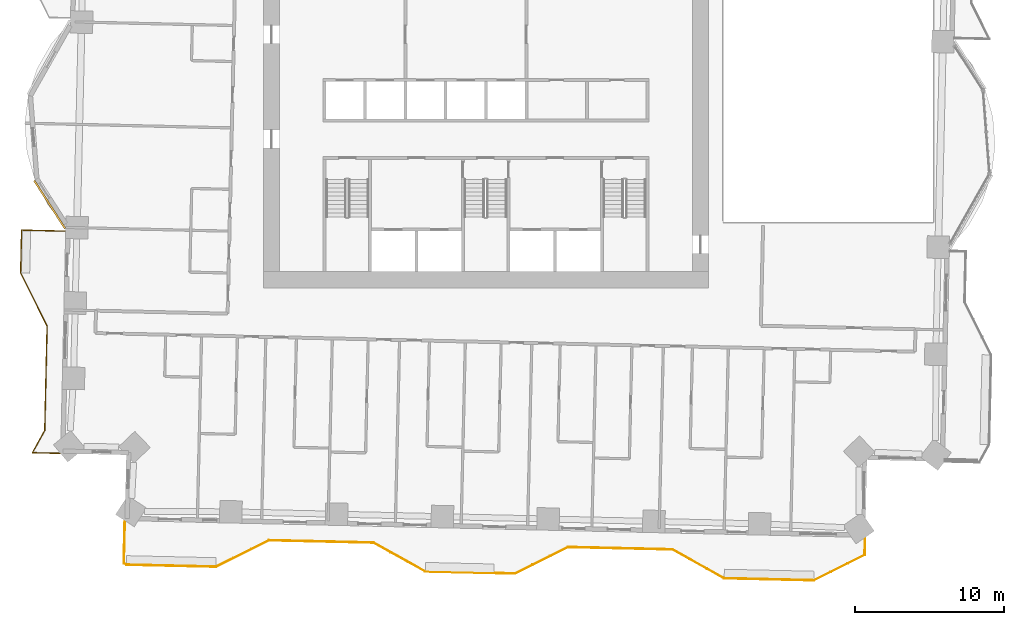
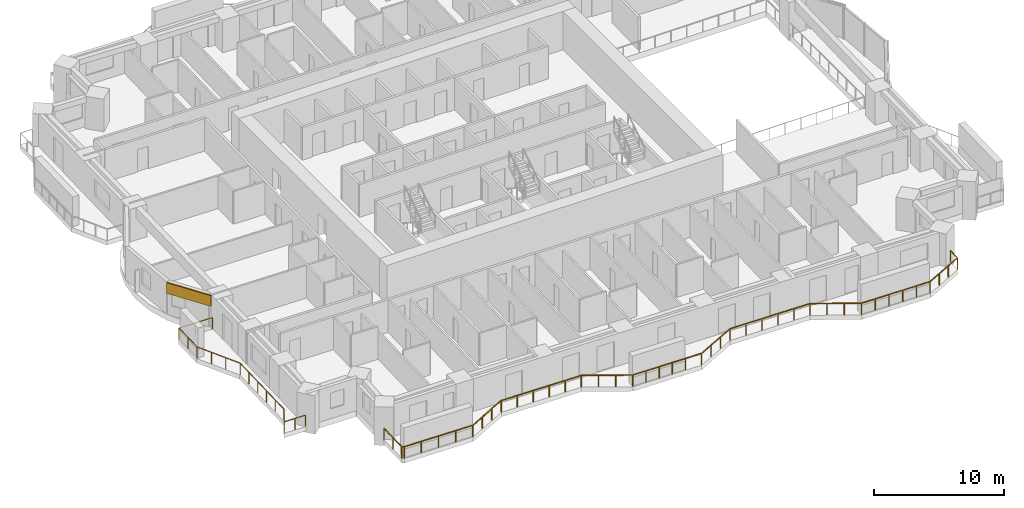
# One storey, part 16 of 20: 2 railings, 1 covering.
"""IFC4 building model written with IfcOpenShell, lengths in metres."""

from ifc_helpers import new_model, si_unit, direction, frame, frame_2d, origin, origin_2d, place, context, subcontext, project, spatial, rectangle, extrude, material, layer, layer_set, type_object, element, save


model = new_model("IFC4")

# Units and contexts
model_context = context("Model", 3, precision=1e-05, world=origin(), true_north=direction((0.0, 1.0)))
body_context = subcontext(model_context, "Body", "Model", "MODEL_VIEW")
ifc_project = project(units=[si_unit("LENGTHUNIT", "METRE"), si_unit("AREAUNIT", "SQUARE_METRE"), si_unit("VOLUMEUNIT", "CUBIC_METRE"), si_unit("PLANEANGLEUNIT", "RADIAN"), si_unit("MASSUNIT", "GRAM", prefix="KILO")], contexts=[model_context])

# Site, building, storey
site_placement = place(None, origin())
site = spatial("IfcSite", under=ifc_project, at=site_placement, CompositionType="ELEMENT")
building_placement = place(site_placement, origin())
building = spatial("IfcBuilding", under=site, at=building_placement, Name="Mangrove Gate Tower", CompositionType="ELEMENT")
storey_placement = place(building_placement, frame((0.0, 0.0, 60.300048828125)))
storey = spatial("IfcBuildingStorey", under=building, at=storey_placement, Name="L14", CompositionType="ELEMENT", Elevation=60.300048828125)

# Railings
ifc_material_1 = material(Name="Stainless steel grade 316 with laminated glass infill", Category="steel")
railing_type = type_object("IfcRailingType", Name="Balcony guard 1100", PredefinedType="GUARDRAIL", material=ifc_material_1)
railing_1_placement = place(storey_placement, frame((-28.162109375, -8.10205078125, 0.0)))
element("IfcRailing", 1, at=railing_1_placement, inside=storey, type_object=railing_type, Name="GUARD L14 W2", PredefinedType="GUARDRAIL", context=body_context, shape_type="SweptSolid", body=[
    extrude(rectangle(XDim=0.048095703125, YDim=0.048095703125, at=origin_2d()), frame((0.0, 0.0, 1.076171875), z_axis=(-0.99974144554, 0.022738559105, 0.0), x_axis=(-0.022738559105, -0.99974144554, 0.0)), (0.0, 0.0, 1.0), 2.90966796875),
    extrude(rectangle(XDim=0.048095703125, YDim=0.048095703125, at=origin_2d()), frame((-2.908935546875, 0.066162109375, 1.076171875), z_axis=(-0.022590224177, -0.999744808324, 0.0), x_axis=(0.999744808324, -0.022590224177, 0.0)), (0.0, 0.0, 1.0), 2.874755859375),
    extrude(rectangle(XDim=0.048095703125, YDim=0.048095703125, at=origin_2d()), frame((-2.973876953125, -2.807861328125, 1.076171875), z_axis=(0.447114919141, -0.894476522376, 0.0), x_axis=(0.894476522376, 0.447114919141, 0.0)), (0.0, 0.0, 1.0), 3.958740234375),
    extrude(rectangle(XDim=0.048095703125, YDim=0.048095703125, at=origin_2d()), frame((-1.203857421875, -6.348876953125, 1.076171875), z_axis=(-0.022705559911, -0.999742195543, 0.0), x_axis=(0.999742195543, -0.022705559911, 0.0)), (0.0, 0.0, 1.0), 6.999755859375),
    extrude(rectangle(XDim=0.048095703125, YDim=0.048095703125, at=origin_2d()), frame((-1.36279296875, -13.346923828125, 1.076171875), z_axis=(-0.487376362463, -0.873192007128, 0.0), x_axis=(0.873192007128, -0.487376362463, 0.0)), (0.0, 0.0, 1.0), 1.697265625),
    extrude(rectangle(XDim=0.048095703125, YDim=0.048095703125, at=origin_2d()), frame((-2.18994140625, -14.828857421875, 1.076171875), z_axis=(0.999743058761, -0.022667519919, 0.0), x_axis=(0.022667519919, 0.999743058761, 0.0)), (0.0, 0.0, 1.0), 1.8525390625),
    extrude(rectangle(XDim=0.0419921875, YDim=0.0419921875, at=origin_2d()), origin(), (0.0, 0.0, 1.0), 1.052001953125),
    extrude(rectangle(XDim=0.0419921875, YDim=0.0419921875, at=origin_2d()), frame((-1.45458984375, 0.033203125, 0.0)), (0.0, 0.0, 1.0), 1.052001953125),
    extrude(rectangle(XDim=0.0419921875, YDim=0.0419921875, at=origin_2d()), frame((-2.908935546875, 0.066162109375, 0.0)), (0.0, 0.0, 1.0), 1.052001953125),
    extrude(rectangle(XDim=0.0419921875, YDim=0.0419921875, at=origin_2d()), frame((-2.94140625, -1.370849609375, 0.0)), (0.0, 0.0, 1.0), 1.052001953125),
    extrude(rectangle(XDim=0.0419921875, YDim=0.0419921875, at=origin_2d()), frame((-2.973876953125, -2.807861328125, 0.0)), (0.0, 0.0, 1.0), 1.052001953125),
    extrude(rectangle(XDim=0.0419921875, YDim=0.0419921875, at=origin_2d()), frame((-2.3837890625, -3.98828125, 0.0)), (0.0, 0.0, 1.0), 1.052001953125),
    extrude(rectangle(XDim=0.0419921875, YDim=0.0419921875, at=origin_2d()), frame((-1.7939453125, -5.16845703125, 0.0)), (0.0, 0.0, 1.0), 1.052001953125),
    extrude(rectangle(XDim=0.0419921875, YDim=0.0419921875, at=origin_2d()), frame((-1.203857421875, -6.348876953125, 0.0)), (0.0, 0.0, 1.0), 1.052001953125),
    extrude(rectangle(XDim=0.0419921875, YDim=0.0419921875, at=origin_2d()), frame((-1.235595703125, -7.74853515625, 0.0)), (0.0, 0.0, 1.0), 1.052001953125),
    extrude(rectangle(XDim=0.0419921875, YDim=0.0419921875, at=origin_2d()), frame((-1.267333984375, -9.148193359375, 0.0)), (0.0, 0.0, 1.0), 1.052001953125),
    extrude(rectangle(XDim=0.0419921875, YDim=0.0419921875, at=origin_2d()), frame((-1.29931640625, -10.547607421875, 0.0)), (0.0, 0.0, 1.0), 1.052001953125),
    extrude(rectangle(XDim=0.0419921875, YDim=0.0419921875, at=origin_2d()), frame((-1.3310546875, -11.947265625, 0.0)), (0.0, 0.0, 1.0), 1.052001953125),
    extrude(rectangle(XDim=0.0419921875, YDim=0.0419921875, at=origin_2d()), frame((-1.36279296875, -13.346923828125, 0.0)), (0.0, 0.0, 1.0), 1.052001953125),
    extrude(rectangle(XDim=0.0419921875, YDim=0.0419921875, at=origin_2d()), frame((-1.7763671875, -14.087890625, 0.0)), (0.0, 0.0, 1.0), 1.052001953125),
    extrude(rectangle(XDim=0.0419921875, YDim=0.0419921875, at=origin_2d()), frame((-2.18994140625, -14.828857421875, 0.0)), (0.0, 0.0, 1.0), 1.052001953125),
    extrude(rectangle(XDim=0.0419921875, YDim=0.0419921875, at=origin_2d()), frame((-1.263916015625, -14.849853515625, 0.0)), (0.0, 0.0, 1.0), 1.052001953125),
    extrude(rectangle(XDim=0.0419921875, YDim=0.0419921875, at=origin_2d()), frame((-0.337890625, -14.870849609375, 0.0)), (0.0, 0.0, 1.0), 1.052001953125),
])
railing_2_placement = place(storey_placement, frame((-24.160888671875, -27.511962890625, 0.0)))
element("IfcRailing", 2, at=railing_2_placement, inside=storey, type_object=railing_type, Name="GUARD L14 S1", PredefinedType="GUARDRAIL", context=body_context, shape_type="SweptSolid", body=[
    extrude(rectangle(XDim=0.048095703125, YDim=0.048095703125, at=origin_2d()), frame((0.0, 0.0, 1.076171875), z_axis=(-0.022754816347, -0.999741075646, 0.0), x_axis=(0.999741075646, -0.022754816347, 0.0)), (0.0, 0.0, 1.0), 2.82177734375),
    extrude(rectangle(XDim=0.048095703125, YDim=0.048095703125, at=origin_2d()), frame((-0.064208984375, -2.821044921875, 1.076171875), z_axis=(0.874581613884, -0.484878335933, 0.0), x_axis=(0.484878335933, 0.874581613884, 0.0)), (0.0, 0.0, 1.0), 0.18994140625),
    extrude(rectangle(XDim=0.048095703125, YDim=0.048095703125, at=origin_2d()), frame((0.101806640625, -2.9130859375, 1.076171875), z_axis=(0.999743094499, -0.022665943652, 0.0), x_axis=(0.022665943652, 0.999743094499, 0.0)), (0.0, 0.0, 1.0), 5.99951171875),
    extrude(rectangle(XDim=0.048095703125, YDim=0.048095703125, at=origin_2d()), frame((6.099853515625, -3.049072265625, 1.076171875), z_axis=(0.894476522376, 0.447114919141, 0.0), x_axis=(-0.447114919141, 0.894476522376, 0.0)), (0.0, 0.0, 1.0), 3.958740234375),
    extrude(rectangle(XDim=0.048095703125, YDim=0.048095703125, at=origin_2d()), frame((9.640869140625, -1.279052734375, 1.076171875), z_axis=(0.999742195543, -0.022705559911, 0.0), x_axis=(0.022705559911, 0.999742195543, 0.0)), (0.0, 0.0, 1.0), 6.999755859375),
    extrude(rectangle(XDim=0.048095703125, YDim=0.048095703125, at=origin_2d()), frame((16.638916015625, -1.43798828125, 1.076171875), z_axis=(0.873315448515, -0.487155136876, 0.0), x_axis=(0.487155136876, 0.873315448515, 0.0)), (0.0, 0.0, 1.0), 3.959716796875),
    extrude(rectangle(XDim=0.048095703125, YDim=0.048095703125, at=origin_2d()), frame((20.096923828125, -3.366943359375, 1.076171875), z_axis=(0.999744268886, -0.022614084774, 0.0), x_axis=(0.022614084774, 0.999744268886, 0.0)), (0.0, 0.0, 1.0), 4.59912109375),
    extrude(rectangle(XDim=0.048095703125, YDim=0.048095703125, at=origin_2d()), frame((24.69482421875, -3.470947265625, 1.076171875), z_axis=(0.999739219063, -0.022836240226, 0.0), x_axis=(0.022836240226, 0.999739219063, 0.0)), (0.0, 0.0, 1.0), 1.400390625),
    extrude(rectangle(XDim=0.048095703125, YDim=0.048095703125, at=origin_2d()), frame((26.094970703125, -3.5029296875, 1.076171875), z_axis=(0.894501186021, 0.447065574839, 0.0), x_axis=(-0.447065574839, 0.894501186021, 0.0)), (0.0, 0.0, 1.0), 3.958740234375),
    extrude(rectangle(XDim=0.048095703125, YDim=0.048095703125, at=origin_2d()), frame((29.635986328125, -1.733154296875, 1.076171875), z_axis=(0.999742177561, -0.022706351659, 0.0), x_axis=(0.022706351659, 0.999742177561, 0.0)), (0.0, 0.0, 1.0), 6.99951171875),
    extrude(rectangle(XDim=0.048095703125, YDim=0.048095703125, at=origin_2d()), frame((36.6337890625, -1.89208984375, 1.076171875), z_axis=(0.87325689943, -0.48726008209, 0.0), x_axis=(0.48726008209, 0.87325689943, 0.0)), (0.0, 0.0, 1.0), 3.958740234375),
    extrude(rectangle(XDim=0.048095703125, YDim=0.048095703125, at=origin_2d()), frame((40.0908203125, -3.821044921875, 1.076171875), z_axis=(0.999743178102, -0.022662255828, 0.0), x_axis=(0.022662255828, 0.999743178102, 0.0)), (0.0, 0.0, 1.0), 6.00048828125),
    extrude(rectangle(XDim=0.048095703125, YDim=0.048095703125, at=origin_2d()), frame((46.08984375, -3.95703125, 1.076171875), z_axis=(0.894491280077, 0.447085394378, 0.0), x_axis=(-0.447085394378, 0.894491280077, 0.0)), (0.0, 0.0, 1.0), 3.808837890625),
    extrude(rectangle(XDim=0.048095703125, YDim=0.048095703125, at=origin_2d()), frame((49.496826171875, -2.254150390625, 1.076171875), z_axis=(0.023108970808, 0.999732952077, 0.0), x_axis=(-0.999732952077, 0.023108970808, 0.0)), (0.0, 0.0, 1.0), 1.13037109375),
    extrude(rectangle(XDim=0.0419921875, YDim=0.0419921875, at=origin_2d()), origin(), (0.0, 0.0, 1.0), 1.052001953125),
    extrude(rectangle(XDim=0.0419921875, YDim=0.0419921875, at=origin_2d()), frame((-0.0322265625, -1.41064453125, 0.0)), (0.0, 0.0, 1.0), 1.052001953125),
    extrude(rectangle(XDim=0.0419921875, YDim=0.0419921875, at=origin_2d()), frame((-0.064208984375, -2.821044921875, 0.0)), (0.0, 0.0, 1.0), 1.052001953125),
    extrude(rectangle(XDim=0.0419921875, YDim=0.0419921875, at=origin_2d()), frame((0.101806640625, -2.9130859375, 0.0)), (0.0, 0.0, 1.0), 1.052001953125),
    extrude(rectangle(XDim=0.0419921875, YDim=0.0419921875, at=origin_2d()), frame((1.601318359375, -2.947021484375, 0.0)), (0.0, 0.0, 1.0), 1.052001953125),
    extrude(rectangle(XDim=0.0419921875, YDim=0.0419921875, at=origin_2d()), frame((3.100830078125, -2.98095703125, 0.0)), (0.0, 0.0, 1.0), 1.052001953125),
    extrude(rectangle(XDim=0.0419921875, YDim=0.0419921875, at=origin_2d()), frame((4.600341796875, -3.01513671875, 0.0)), (0.0, 0.0, 1.0), 1.052001953125),
    extrude(rectangle(XDim=0.0419921875, YDim=0.0419921875, at=origin_2d()), frame((6.099853515625, -3.049072265625, 0.0)), (0.0, 0.0, 1.0), 1.052001953125),
    extrude(rectangle(XDim=0.0419921875, YDim=0.0419921875, at=origin_2d()), frame((7.2802734375, -2.458984375, 0.0)), (0.0, 0.0, 1.0), 1.052001953125),
    extrude(rectangle(XDim=0.0419921875, YDim=0.0419921875, at=origin_2d()), frame((8.46044921875, -1.869140625, 0.0)), (0.0, 0.0, 1.0), 1.052001953125),
    extrude(rectangle(XDim=0.0419921875, YDim=0.0419921875, at=origin_2d()), frame((9.640869140625, -1.279052734375, 0.0)), (0.0, 0.0, 1.0), 1.052001953125),
    extrude(rectangle(XDim=0.0419921875, YDim=0.0419921875, at=origin_2d()), frame((11.04052734375, -1.310791015625, 0.0)), (0.0, 0.0, 1.0), 1.052001953125),
    extrude(rectangle(XDim=0.0419921875, YDim=0.0419921875, at=origin_2d()), frame((12.440185546875, -1.342529296875, 0.0)), (0.0, 0.0, 1.0), 1.052001953125),
    extrude(rectangle(XDim=0.0419921875, YDim=0.0419921875, at=origin_2d()), frame((13.839599609375, -1.37451171875, 0.0)), (0.0, 0.0, 1.0), 1.052001953125),
    extrude(rectangle(XDim=0.0419921875, YDim=0.0419921875, at=origin_2d()), frame((15.2392578125, -1.40625, 0.0)), (0.0, 0.0, 1.0), 1.052001953125),
    extrude(rectangle(XDim=0.0419921875, YDim=0.0419921875, at=origin_2d()), frame((16.638916015625, -1.43798828125, 0.0)), (0.0, 0.0, 1.0), 1.052001953125),
    extrude(rectangle(XDim=0.0419921875, YDim=0.0419921875, at=origin_2d()), frame((17.79150390625, -2.0810546875, 0.0)), (0.0, 0.0, 1.0), 1.052001953125),
    extrude(rectangle(XDim=0.0419921875, YDim=0.0419921875, at=origin_2d()), frame((18.9443359375, -2.723876953125, 0.0)), (0.0, 0.0, 1.0), 1.052001953125),
    extrude(rectangle(XDim=0.0419921875, YDim=0.0419921875, at=origin_2d()), frame((20.096923828125, -3.366943359375, 0.0)), (0.0, 0.0, 1.0), 1.052001953125),
    extrude(rectangle(XDim=0.0419921875, YDim=0.0419921875, at=origin_2d()), frame((21.246337890625, -3.39306640625, 0.0)), (0.0, 0.0, 1.0), 1.052001953125),
    extrude(rectangle(XDim=0.0419921875, YDim=0.0419921875, at=origin_2d()), frame((22.39599609375, -3.4189453125, 0.0)), (0.0, 0.0, 1.0), 1.052001953125),
    extrude(rectangle(XDim=0.0419921875, YDim=0.0419921875, at=origin_2d()), frame((23.54541015625, -3.44482421875, 0.0)), (0.0, 0.0, 1.0), 1.052001953125),
    extrude(rectangle(XDim=0.0419921875, YDim=0.0419921875, at=origin_2d()), frame((24.69482421875, -3.470947265625, 0.0)), (0.0, 0.0, 1.0), 1.052001953125),
    extrude(rectangle(XDim=0.0419921875, YDim=0.0419921875, at=origin_2d()), frame((26.094970703125, -3.5029296875, 0.0)), (0.0, 0.0, 1.0), 1.052001953125),
    extrude(rectangle(XDim=0.0419921875, YDim=0.0419921875, at=origin_2d()), frame((27.275390625, -2.9130859375, 0.0)), (0.0, 0.0, 1.0), 1.052001953125),
    extrude(rectangle(XDim=0.0419921875, YDim=0.0419921875, at=origin_2d()), frame((28.45556640625, -2.322998046875, 0.0)), (0.0, 0.0, 1.0), 1.052001953125),
    extrude(rectangle(XDim=0.0419921875, YDim=0.0419921875, at=origin_2d()), frame((29.635986328125, -1.733154296875, 0.0)), (0.0, 0.0, 1.0), 1.052001953125),
    extrude(rectangle(XDim=0.0419921875, YDim=0.0419921875, at=origin_2d()), frame((31.03564453125, -1.764892578125, 0.0)), (0.0, 0.0, 1.0), 1.052001953125),
    extrude(rectangle(XDim=0.0419921875, YDim=0.0419921875, at=origin_2d()), frame((32.43505859375, -1.796630859375, 0.0)), (0.0, 0.0, 1.0), 1.052001953125),
    extrude(rectangle(XDim=0.0419921875, YDim=0.0419921875, at=origin_2d()), frame((33.834716796875, -1.82861328125, 0.0)), (0.0, 0.0, 1.0), 1.052001953125),
    extrude(rectangle(XDim=0.0419921875, YDim=0.0419921875, at=origin_2d()), frame((35.234130859375, -1.8603515625, 0.0)), (0.0, 0.0, 1.0), 1.052001953125),
    extrude(rectangle(XDim=0.0419921875, YDim=0.0419921875, at=origin_2d()), frame((36.6337890625, -1.89208984375, 0.0)), (0.0, 0.0, 1.0), 1.052001953125),
    extrude(rectangle(XDim=0.0419921875, YDim=0.0419921875, at=origin_2d()), frame((37.7861328125, -2.53515625, 0.0)), (0.0, 0.0, 1.0), 1.052001953125),
    extrude(rectangle(XDim=0.0419921875, YDim=0.0419921875, at=origin_2d()), frame((38.9384765625, -3.177978515625, 0.0)), (0.0, 0.0, 1.0), 1.052001953125),
    extrude(rectangle(XDim=0.0419921875, YDim=0.0419921875, at=origin_2d()), frame((40.0908203125, -3.821044921875, 0.0)), (0.0, 0.0, 1.0), 1.052001953125),
    extrude(rectangle(XDim=0.0419921875, YDim=0.0419921875, at=origin_2d()), frame((41.29052734375, -3.84814453125, 0.0)), (0.0, 0.0, 1.0), 1.052001953125),
    extrude(rectangle(XDim=0.0419921875, YDim=0.0419921875, at=origin_2d()), frame((42.490478515625, -3.87548828125, 0.0)), (0.0, 0.0, 1.0), 1.052001953125),
    extrude(rectangle(XDim=0.0419921875, YDim=0.0419921875, at=origin_2d()), frame((43.690185546875, -3.902587890625, 0.0)), (0.0, 0.0, 1.0), 1.052001953125),
    extrude(rectangle(XDim=0.0419921875, YDim=0.0419921875, at=origin_2d()), frame((44.89013671875, -3.929931640625, 0.0)), (0.0, 0.0, 1.0), 1.052001953125),
    extrude(rectangle(XDim=0.0419921875, YDim=0.0419921875, at=origin_2d()), frame((46.08984375, -3.95703125, 0.0)), (0.0, 0.0, 1.0), 1.052001953125),
    extrude(rectangle(XDim=0.0419921875, YDim=0.0419921875, at=origin_2d()), frame((47.2255859375, -3.389404296875, 0.0)), (0.0, 0.0, 1.0), 1.052001953125),
    extrude(rectangle(XDim=0.0419921875, YDim=0.0419921875, at=origin_2d()), frame((48.361083984375, -2.82177734375, 0.0)), (0.0, 0.0, 1.0), 1.052001953125),
    extrude(rectangle(XDim=0.0419921875, YDim=0.0419921875, at=origin_2d()), frame((49.496826171875, -2.254150390625, 0.0)), (0.0, 0.0, 1.0), 1.052001953125),
    extrude(rectangle(XDim=0.0419921875, YDim=0.0419921875, at=origin_2d()), frame((49.52294921875, -1.1240234375, 0.0)), (0.0, 0.0, 1.0), 1.052001953125),
])

# Covering
ifc_material_2 = material(Name="Limestone", Category="masonry")
ifc_layer_1 = layer(ifc_material_2, 0.0400390625, Name="Limestone cladding")
ifc_material_3 = material(Name="Stainless steel anchors and cavity", Category="steel")
ifc_layer_2 = layer(ifc_material_3, 0.080078125, Name="Fixing cavity")
ifc_layer_set = layer_set([ifc_layer_1, ifc_layer_2], Name="Joint fascia cladding 120")
covering_type = type_object("IfcCoveringType", Name="Joint fascia cladding 120", PredefinedType="CLADDING", material=ifc_layer_set)
covering_placement = place(storey_placement, frame((-30.22607421875, -4.718994140625, 2.050048828125), z_axis=(0.0, 0.0, 1.0), x_axis=(0.540486138148, -0.841352919095, 0.0)))
element("IfcCovering", 3, at=covering_placement, inside=storey, type_object=covering_type, Name="STONE FASCIA L14 W9.L2", PredefinedType="CLADDING", context=body_context, shape_type="SweptSolid", body=[
    extrude(rectangle(XDim=3.818603515625, YDim=0.1201171875, at=frame_2d((1.9091796875, 0.0))), origin(), (0.0, 0.0, 1.0), 1.0),
])

save(model, "model.ifc")
